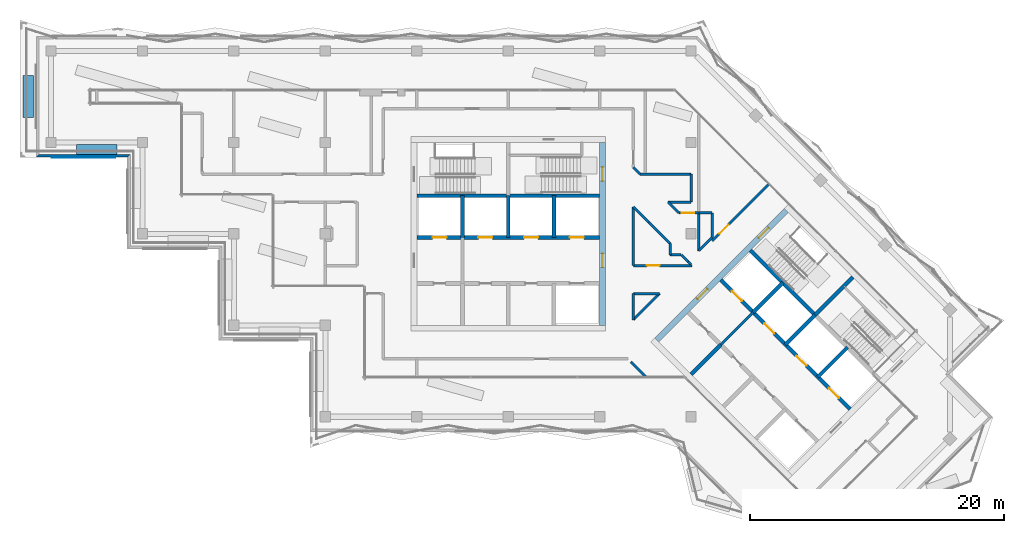
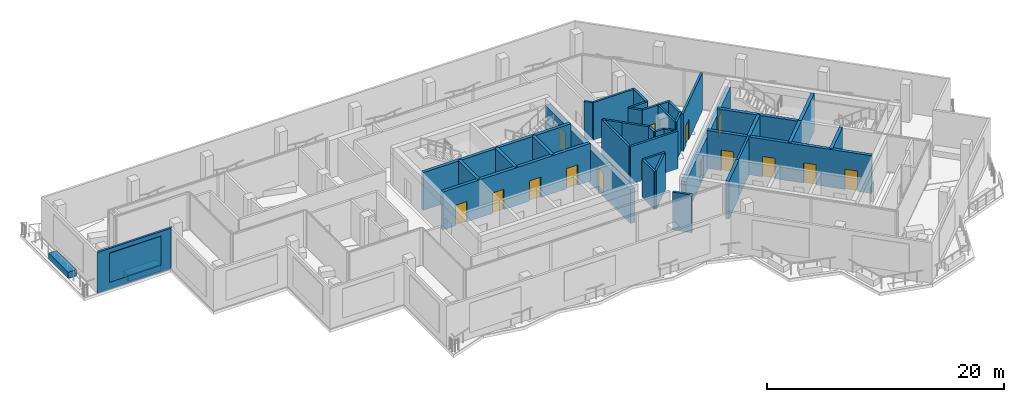
# One storey, part 10 of 19: 42 walls, 15 doors, 1 plate, 15 openings.
"""IFC4 building model written with IfcOpenShell, lengths in metres."""

from ifc_helpers import new_model, si_unit, direction, frame, frame_2d, origin, place, context, subcontext, project, spatial, polyline, rectangle, outline, extrude, material, layer, layer_set, type_object, element, fill, aggregate, save


model = new_model("IFC4")

# Units and contexts
model_context = context("Model", 3, precision=1e-05, world=origin(), true_north=direction((0.0, 1.0)))
body_context = subcontext(model_context, "Body", "Model", "MODEL_VIEW")
ifc_project = project(units=[si_unit("LENGTHUNIT", "METRE"), si_unit("AREAUNIT", "SQUARE_METRE"), si_unit("VOLUMEUNIT", "CUBIC_METRE"), si_unit("PLANEANGLEUNIT", "RADIAN"), si_unit("MASSUNIT", "GRAM", prefix="KILO")], contexts=[model_context])

# Plate
ifc_material_1 = material(Name="Aluminium louvre", Category="aluminium")
ifc_layer_1 = layer(ifc_material_1, 0.05)
ifc_layer_set_1 = layer_set([ifc_layer_1], Name="Belt louvre panel 5000x3000")
plate_type = type_object("IfcPlateType", Name="Belt louvre panel 5000x3000", PredefinedType="SHEET", material=ifc_layer_set_1)
site_placement = place(None, origin())
building_placement = place(site_placement, origin())
storey_placement = place(building_placement, frame((0.0, 0.0, 230.4)))
plate_placement = place(storey_placement, frame((28.85, 63.6, 0.75), z_axis=(0.0, -1.0, 0.0), x_axis=(1.0, 0.0, 0.0)))
plate = element("IfcPlate", 1, at=plate_placement, type_object=plate_type, Name="Belt louvre panel L63 35.1", PredefinedType="SHEET", context=body_context, shape_type="SweptSolid", body=[
    extrude(outline(polyline([(0.0, 0.0), (5.0, 0.0), (5.0, 3.0), (0.0, 3.0), (0.0, 0.0)])), origin(), (0.0, 0.0, -1.0), 0.05),
])

# Site, building, storey
site = spatial("IfcSite", under=ifc_project, at=site_placement, CompositionType="ELEMENT")
building = spatial("IfcBuilding", under=site, at=building_placement, Name="Windrow Commons", CompositionType="ELEMENT")
storey = spatial("IfcBuildingStorey", under=building, at=storey_placement, Name="L63", CompositionType="ELEMENT", Elevation=230.4)

# Wall
ifc_material_2 = material(Name="Concrete C40/50 precast screen panel", Category="concrete")
ifc_layer_2 = layer(ifc_material_2, 0.2)
ifc_layer_set_2 = layer_set([ifc_layer_2], Name="Belt screen wall 200")
wall_type_1 = type_object("IfcWallType", Name="Belt screen wall 200", PredefinedType="SOLIDWALL", material=ifc_layer_set_2)
wall_1_placement = place(storey_placement, frame((27.75, 63.75, 0.0), z_axis=(0.0, 0.0, 1.0), x_axis=(1.0, 0.0, 0.0)))
wall_1 = element("IfcWall", 2, at=wall_1_placement, inside=storey, type_object=wall_type_1, Name="Belt screen wall L63 35", PredefinedType="SOLIDWALL", context=body_context, shape_type="SweptSolid", body=[
    extrude(outline(polyline([(-0.1, -0.1), (7.1, -0.1), (7.3, 0.1), (0.1, 0.1), (-0.1, -0.1)])), origin(), (0.0, 0.0, 1.0), 4.2),
])

aggregate(wall_1, [plate])

ifc_material_3 = material(Name="Blockwork partition", Category="masonry")
ifc_layer_3 = layer(ifc_material_3, 0.2)
ifc_layer_set_3 = layer_set([ifc_layer_3], Name="Fire lobby partition 200")
wall_type_2 = type_object("IfcWallType", Name="Fire lobby partition 200", PredefinedType="PARTITIONING", material=ifc_layer_set_3)
wall_2_placement = place(storey_placement, frame((81.5335, 48.8776, 0.0), z_axis=(0.0, 0.0, 1.0), x_axis=(0.707092892, 0.7071206701, 0.0)))
element("IfcWall", 3, at=wall_2_placement, inside=storey, type_object=wall_type_2, Name="W-core-lobby-B-L63", PredefinedType="PARTITIONING", context=body_context, shape_type="SweptSolid", body=[
    extrude(rectangle(XDim=3.6, YDim=0.2, at=frame_2d((1.8, 0.0))), origin(), (0.0, 0.0, 1.0), 3.9),
])

# Wall, opening, door
ifc_material_4 = material(Name="Blockwork partition", Category="masonry")
ifc_layer_4 = layer(ifc_material_4, 0.2)
ifc_layer_set_4 = layer_set([ifc_layer_4], Name="IW-CORRIDOR-200")
wall_type_3 = type_object("IfcWallType", Name="IW-CORRIDOR-200", PredefinedType="PARTITIONING", material=ifc_layer_set_4)
wall_3_placement = place(storey_placement, frame((80.8507, 57.0353, 0.0), z_axis=(0.0, 0.0, 1.0), x_axis=(0.7071067812, 0.7071067812, 0.0)))
wall_3 = element("IfcWall", 4, at=wall_3_placement, inside=storey, type_object=wall_type_3, Name="W-L63-W008", PredefinedType="PARTITIONING", context=body_context, shape_type="SweptSolid", body=[
    extrude(rectangle(XDim=6.2848, YDim=0.2, at=frame_2d((3.1424, 0.0))), origin(), (0.0, 0.0, 1.0), 3.9),
])
opening_1_placement = place(wall_3_placement, frame((0.8102, 0.0, 0.0)))
opening_1 = element("IfcOpeningElement", 5, at=opening_1_placement, cuts=wall_3, Name="Opening D310F", PredefinedType="OPENING", context=body_context, shape_type="SweptSolid", body=[
    extrude(rectangle(XDim=1.0, YDim=2.1, at=frame_2d((0.5, 1.05))), frame((0.0, 0.11, 0.0), z_axis=(0.0, -1.0, 0.0), x_axis=(1.0, 0.0, 0.0)), (0.0, 0.0, 1.0), 0.22),
])
ifc_material_5 = material(Name="Timber door leaf", Category="wood")
door_type_1 = type_object("IfcDoorType", Name="DT-AMENITY-1000", OperationType="SINGLE_SWING_LEFT", PredefinedType="DOOR", material=ifc_material_5)
door_1_placement = place(opening_1_placement, origin())
door_1 = element("IfcDoor", 6, at=door_1_placement, inside=storey, type_object=door_type_1, Name="D-L63-D013", OperationType="SINGLE_SWING_RIGHT", OverallHeight=2.1, OverallWidth=1.0, PredefinedType="DOOR", context=body_context, shape_type="SweptSolid", body=[
    extrude(rectangle(XDim=1.0, YDim=2.1, at=frame_2d((0.5, 1.05))), frame((0.0, 0.025, 0.0), z_axis=(0.0, -1.0, 0.0), x_axis=(1.0, 0.0, 0.0)), (0.0, 0.0, 1.0), 0.05),
])
fill(opening_1, door_1)

# Wall
wall_4_placement = place(storey_placement, frame((74.65, 55.102, 0.0), z_axis=(0.0, 0.0, 1.0), x_axis=(0.0, 1.0, 0.0)))
element("IfcWall", 7, at=wall_4_placement, inside=storey, type_object=wall_type_3, Name="W-L63-W014", PredefinedType="PARTITIONING", context=body_context, shape_type="SweptSolid", body=[
    extrude(rectangle(XDim=4.616, YDim=0.2, at=frame_2d((2.308, 0.0))), origin(), (0.0, 0.0, 1.0), 3.9),
])

# Wall, opening, door
wall_5_placement = place(storey_placement, frame((74.652, 55.1, 0.0), z_axis=(0.0, 0.0, 1.0), x_axis=(1.0, 0.0, 0.0)))
wall_5 = element("IfcWall", 8, at=wall_5_placement, inside=storey, type_object=wall_type_3, Name="W-L63-W015", PredefinedType="PARTITIONING", context=body_context, shape_type="SweptSolid", body=[
    extrude(rectangle(XDim=4.616, YDim=0.2, at=frame_2d((2.308, 0.0))), origin(), (0.0, 0.0, 1.0), 3.9),
])
opening_2_placement = place(wall_5_placement, frame((1.0599, 0.0, 0.0)))
opening_2 = element("IfcOpeningElement", 9, at=opening_2_placement, cuts=wall_5, Name="Opening D410F", PredefinedType="OPENING", context=body_context, shape_type="SweptSolid", body=[
    extrude(rectangle(XDim=1.0, YDim=2.1, at=frame_2d((0.5, 1.05))), frame((0.0, 0.11, 0.0), z_axis=(0.0, -1.0, 0.0), x_axis=(1.0, 0.0, 0.0)), (0.0, 0.0, 1.0), 0.22),
])
ifc_material_6 = material(Name="Timber door leaf", Category="wood")
door_type_2 = type_object("IfcDoorType", Name="DT-SERVICE-1000", OperationType="SINGLE_SWING_LEFT", PredefinedType="DOOR", material=ifc_material_6)
door_2_placement = place(opening_2_placement, origin())
door_2 = element("IfcDoor", 10, at=door_2_placement, inside=storey, type_object=door_type_2, Name="D-L63-D004", OperationType="SINGLE_SWING_LEFT", OverallHeight=2.1, OverallWidth=1.0, PredefinedType="DOOR", context=body_context, shape_type="SweptSolid", body=[
    extrude(rectangle(XDim=1.0, YDim=2.1, at=frame_2d((0.5, 1.05))), frame((0.0, 0.025, 0.0), z_axis=(0.0, -1.0, 0.0), x_axis=(1.0, 0.0, 0.0)), (0.0, 0.0, 1.0), 0.05),
])
fill(opening_2, door_2)

# Walls
wall_6_placement = place(storey_placement, frame((75.182, 62.3, 0.0), z_axis=(0.0, 0.0, 1.0), x_axis=(1.0, 0.0, 0.0)))
element("IfcWall", 11, at=wall_6_placement, inside=storey, type_object=wall_type_3, Name="W-L63-W016", PredefinedType="PARTITIONING", context=body_context, shape_type="SweptSolid", body=[
    extrude(rectangle(XDim=4.018, YDim=0.2, at=frame_2d((2.009, 0.0))), origin(), (0.0, 0.0, 1.0), 3.9),
])
wall_7_placement = place(storey_placement, frame((79.8, 56.268, 0.0), z_axis=(0.0, 0.0, 1.0), x_axis=(0.0, 1.0, 0.0)))
element("IfcWall", 12, at=wall_7_placement, inside=storey, type_object=wall_type_3, Name="W-L63-W019", PredefinedType="PARTITIONING", context=body_context, shape_type="SweptSolid", body=[
    extrude(rectangle(XDim=2.982, YDim=0.2, at=frame_2d((1.491, 0.0))), origin(), (0.0, 0.0, 1.0), 3.9),
])
wall_8_placement = place(storey_placement, frame((74.6507, 50.8353, 0.0), z_axis=(0.0, 0.0, 1.0), x_axis=(0.7071067812, 0.7071067812, 0.0)))
element("IfcWall", 13, at=wall_8_placement, inside=storey, type_object=wall_type_3, Name="W-L63-W020", PredefinedType="PARTITIONING", context=body_context, shape_type="SweptSolid", body=[
    extrude(rectangle(XDim=2.9189, YDim=0.2, at=frame_2d((1.4594, 0.0))), origin(), (0.0, 0.0, 1.0), 3.9),
])
wall_9_placement = place(storey_placement, frame((75.8784, 58.4964, 0.0), z_axis=(0.0, 0.0, 1.0), x_axis=(0.7075293128, -0.706683997, 0.0)))
element("IfcWall", 14, at=wall_9_placement, inside=storey, type_object=wall_type_3, Name="W-L63-W022", PredefinedType="PARTITIONING", context=body_context, shape_type="SweptSolid", body=[
    extrude(rectangle(XDim=2.366, YDim=0.2, at=frame_2d((1.183, 0.0))), origin(), (0.0, 0.0, 1.0), 3.9),
])
wall_10_placement = place(storey_placement, frame((79.2, 60.102, 0.0), z_axis=(0.0, 0.0, 1.0), x_axis=(0.0, 1.0, 0.0)))
element("IfcWall", 15, at=wall_10_placement, inside=storey, type_object=wall_type_3, Name="W-L63-W024", PredefinedType="PARTITIONING", context=body_context, shape_type="SweptSolid", body=[
    extrude(rectangle(XDim=2.198, YDim=0.2, at=frame_2d((1.099, 0.0))), origin(), (0.0, 0.0, 1.0), 3.9),
])
wall_11_placement = place(storey_placement, frame((74.65, 50.836, 0.0), z_axis=(0.0, 0.0, 1.0), x_axis=(0.0, 1.0, 0.0)))
element("IfcWall", 16, at=wall_11_placement, inside=storey, type_object=wall_type_3, Name="W-L63-W027", PredefinedType="PARTITIONING", context=body_context, shape_type="SweptSolid", body=[
    extrude(rectangle(XDim=2.064, YDim=0.2, at=frame_2d((1.032, 0.0))), origin(), (0.0, 0.0, 1.0), 3.9),
])
wall_12_placement = place(storey_placement, frame((74.652, 52.9, 0.0), z_axis=(0.0, 0.0, 1.0), x_axis=(1.0, 0.0, 0.0)))
element("IfcWall", 17, at=wall_12_placement, inside=storey, type_object=wall_type_3, Name="W-L63-W028", PredefinedType="PARTITIONING", context=body_context, shape_type="SweptSolid", body=[
    extrude(rectangle(XDim=2.062, YDim=0.2, at=frame_2d((1.031, 0.0))), origin(), (0.0, 0.0, 1.0), 3.9),
])
wall_13_placement = place(storey_placement, frame((77.384, 60.1, 0.0), z_axis=(0.0, 0.0, 1.0), x_axis=(1.0, 0.0, 0.0)))
element("IfcWall", 18, at=wall_13_placement, inside=storey, type_object=wall_type_3, Name="W-L63-W032", PredefinedType="PARTITIONING", context=body_context, shape_type="SweptSolid", body=[
    extrude(rectangle(XDim=1.814, YDim=0.2, at=frame_2d((0.907, 0.0))), origin(), (0.0, 0.0, 1.0), 3.9),
])
wall_14_placement = place(storey_placement, frame((74.6492, 59.7172, 0.0), z_axis=(0.0, 0.0, 1.0), x_axis=(0.7065293157, -0.7076837754, 0.0)))
element("IfcWall", 19, at=wall_14_placement, inside=storey, type_object=wall_type_3, Name="W-L63-W034", PredefinedType="PARTITIONING", context=body_context, shape_type="SweptSolid", body=[
    extrude(rectangle(XDim=1.7324, YDim=0.2, at=frame_2d((0.8662, 0.0))), origin(), (0.0, 0.0, 1.0), 3.9),
])
wall_15_placement = place(storey_placement, frame((74.459, 47.531, 0.0), z_axis=(0.0, 0.0, 1.0), x_axis=(0.7071067812, -0.7071067812, 0.0)))
element("IfcWall", 20, at=wall_15_placement, inside=storey, type_object=wall_type_3, Name="W-L63-W035", PredefinedType="PARTITIONING", context=body_context, shape_type="SweptSolid", body=[
    extrude(rectangle(XDim=1.7027, YDim=0.2, at=frame_2d((0.8514, 0.0))), origin(), (0.0, 0.0, 1.0), 3.9),
])

# Wall, opening, door
wall_16_placement = place(storey_placement, frame((78.232, 59.25, 0.0), z_axis=(0.0, 0.0, 1.0), x_axis=(1.0, 0.0, 0.0)))
wall_16 = element("IfcWall", 21, at=wall_16_placement, inside=storey, type_object=wall_type_3, Name="W-L63-W038", PredefinedType="PARTITIONING", context=body_context, shape_type="SweptSolid", body=[
    extrude(rectangle(XDim=1.568, YDim=0.2, at=frame_2d((0.784, 0.0))), origin(), (0.0, 0.0, 1.0), 3.9),
])
opening_3_placement = place(wall_16_placement, frame((0.2196, 0.0, 0.0)))
opening_3 = element("IfcOpeningElement", 22, at=opening_3_placement, cuts=wall_16, Name="Opening D310F", PredefinedType="OPENING", context=body_context, shape_type="SweptSolid", body=[
    extrude(rectangle(XDim=1.0, YDim=2.1, at=frame_2d((0.5, 1.05))), frame((0.0, 0.11, 0.0), z_axis=(0.0, -1.0, 0.0), x_axis=(1.0, 0.0, 0.0)), (0.0, 0.0, 1.0), 0.22),
])
door_3_placement = place(opening_3_placement, origin())
door_3 = element("IfcDoor", 23, at=door_3_placement, inside=storey, type_object=door_type_1, Name="D-L63-D012", OperationType="SINGLE_SWING_LEFT", OverallHeight=2.1, OverallWidth=1.0, PredefinedType="DOOR", context=body_context, shape_type="SweptSolid", body=[
    extrude(rectangle(XDim=1.0, YDim=2.1, at=frame_2d((0.5, 1.05))), frame((0.0, 0.025, 0.0), z_axis=(0.0, -1.0, 0.0), x_axis=(1.0, 0.0, 0.0)), (0.0, 0.0, 1.0), 0.05),
])
fill(opening_3, door_3)

# Walls
wall_17_placement = place(storey_placement, frame((79.8013, 56.2687, 0.0), z_axis=(0.0, 0.0, 1.0), x_axis=(0.7071067812, 0.7071067812, 0.0)))
element("IfcWall", 24, at=wall_17_placement, inside=storey, type_object=wall_type_3, Name="W-L63-W039", PredefinedType="PARTITIONING", context=body_context, shape_type="SweptSolid", body=[
    extrude(rectangle(XDim=1.4821, YDim=0.2, at=frame_2d((0.741, 0.0))), origin(), (0.0, 0.0, 1.0), 3.9),
])
wall_18_placement = place(storey_placement, frame((77.3809, 60.0949, 0.0), z_axis=(0.0, 0.0, 1.0), x_axis=(0.7071067812, -0.7071067812, 0.0)))
element("IfcWall", 25, at=wall_18_placement, inside=storey, type_object=wall_type_3, Name="W-L63-W045", PredefinedType="PARTITIONING", context=body_context, shape_type="SweptSolid", body=[
    extrude(rectangle(XDim=1.1993, YDim=0.2, at=frame_2d((0.5997, 0.0))), origin(), (0.0, 0.0, 1.0), 3.9),
])
for number, where, z_axis, x_axis, name in (
    (26, (77.55, 55.952, 0.0), (0.0, 0.0, 1.0), (0.0, 1.0, 0.0), "W-L63-W049"),
    (27, (77.552, 55.95, 0.0), (0.0, 0.0, 1.0), (1.0, 0.0, 0.0), "W-L63-W050"),
):
    element("IfcWall", number, at=place(storey_placement, frame(where, z_axis=z_axis, x_axis=x_axis)), inside=storey, type_object=wall_type_3, Name=name, PredefinedType="PARTITIONING", context=body_context, shape_type="SweptSolid", body=[
        extrude(rectangle(XDim=0.868, YDim=0.2, at=frame_2d((0.434, 0.0))), origin(), (0.0, 0.0, 1.0), 3.9),
    ])
wall_19_placement = place(storey_placement, frame((74.6469, 62.8289, 0.0), z_axis=(0.0, 0.0, 1.0), x_axis=(0.7071067812, -0.7071067812, 0.0)))
element("IfcWall", 28, at=wall_19_placement, inside=storey, type_object=wall_type_3, Name="W-L63-W051", PredefinedType="PARTITIONING", context=body_context, shape_type="SweptSolid", body=[
    extrude(rectangle(XDim=0.7524, YDim=0.2, at=frame_2d((0.3762, 0.0))), origin(), (0.0, 0.0, 1.0), 3.9),
])
wall_20_placement = place(storey_placement, frame((78.4255, 55.9535, 0.0), z_axis=(0.0, 0.0, 1.0), x_axis=(0.7057738785, -0.7084371761, 0.0)))
element("IfcWall", 29, at=wall_20_placement, inside=storey, type_object=wall_type_3, Name="W-L63-W052", PredefinedType="PARTITIONING", context=body_context, shape_type="SweptSolid", body=[
    extrude(rectangle(XDim=0.7509, YDim=0.2, at=frame_2d((0.3755, 0.0))), origin(), (0.0, 0.0, 1.0), 3.9),
])
wall_21_placement = place(storey_placement, frame((78.9513, 55.4173, 0.0), z_axis=(0.0, 0.0, 1.0), x_axis=(0.709302262, -0.7049044624, 0.0)))
element("IfcWall", 30, at=wall_21_placement, inside=storey, type_object=wall_type_3, Name="W-L63-W057", PredefinedType="PARTITIONING", context=body_context, shape_type="SweptSolid", body=[
    extrude(rectangle(XDim=0.3183, YDim=0.2, at=frame_2d((0.1592, 0.0))), origin(), (0.0, 0.0, 1.0), 3.9),
])
ifc_material_7 = material(Name="Blockwork partition", Category="masonry")
ifc_layer_5 = layer(ifc_material_7, 0.2)
ifc_layer_set_5 = layer_set([ifc_layer_5], Name="IW-PARTY-200")
wall_type_4 = type_object("IfcWallType", Name="IW-PARTY-200", PredefinedType="PARTITIONING", material=ifc_layer_set_5)
wall_22_placement = place(storey_placement, frame((80.85, 57.316, 0.0), z_axis=(0.0, 0.0, 1.0), x_axis=(0.0, 1.0, 0.0)))
element("IfcWall", 31, at=wall_22_placement, inside=storey, type_object=wall_type_4, Name="W-L63-W031", PredefinedType="PARTITIONING", context=body_context, shape_type="SweptSolid", body=[
    extrude(rectangle(XDim=1.932, YDim=0.2, at=frame_2d((0.966, 0.0))), origin(), (0.0, 0.0, 1.0), 3.9),
])
wall_23_placement = place(storey_placement, frame((79.8, 59.25, 0.0), z_axis=(0.0, 0.0, 1.0), x_axis=(1.0, 0.0, 0.0)))
element("IfcWall", 32, at=wall_23_placement, inside=storey, type_object=wall_type_4, Name="W-L63-W046", PredefinedType="PARTITIONING", context=body_context, shape_type="SweptSolid", body=[
    extrude(rectangle(XDim=1.048, YDim=0.2, at=frame_2d((0.524, 0.0))), origin(), (0.0, 0.0, 1.0), 3.9),
])
ifc_material_8 = material(Name="Concrete C30/37 planter wall", Category="concrete")
ifc_layer_6 = layer(ifc_material_8, 0.8)
ifc_layer_set_6 = layer_set([ifc_layer_6], Name="Planter 800x600")
wall_type_5 = type_object("IfcWallType", Name="Planter 800x600", PredefinedType="SOLIDWALL", material=ifc_layer_set_6)
wall_24_placement = place(storey_placement, frame((27.017, 70.0446, 0.0), z_axis=(0.0, 0.0, 1.0), x_axis=(0.0, -1.0, 0.0)))
element("IfcWall", 33, at=wall_24_placement, inside=storey, type_object=wall_type_5, Name="PLANTER TR-L63-1.33", PredefinedType="SOLIDWALL", context=body_context, shape_type="SweptSolid", body=[
    extrude(rectangle(XDim=3.2892, YDim=0.8, at=frame_2d((1.6446, 0.0))), origin(), (0.0, 0.0, 1.0), 0.65),
])
wall_25_placement = place(storey_placement, frame((30.8, 64.25, 0.0), z_axis=(0.0, 0.0, 1.0), x_axis=(1.0, 0.0, 0.0)))
element("IfcWall", 34, at=wall_25_placement, inside=storey, type_object=wall_type_5, Name="PLANTER TR-L63-1.34", PredefinedType="SOLIDWALL", context=body_context, shape_type="SweptSolid", body=[
    extrude(rectangle(XDim=3.2, YDim=0.8, at=frame_2d((1.6, 0.0))), origin(), (0.0, 0.0, 1.0), 0.65),
])

# Wall, openings, doors
ifc_material_9 = material(Name="Concrete C40/50", Category="concrete")
ifc_layer_7 = layer(ifc_material_9, 0.45)
ifc_layer_set_7 = layer_set([ifc_layer_7], Name="RC CORE WALL 450 C40/50")
wall_type_6 = type_object("IfcWallType", Name="RC CORE WALL 450 C40/50", PredefinedType="SHEAR", material=ifc_layer_set_7)
wall_26_placement = place(storey_placement, frame((72.225, 50.4, -0.3), z_axis=(0.0, 0.0, 1.0), x_axis=(0.0, 1.0, 0.0)))
wall_26 = element("IfcWall", 35, at=wall_26_placement, inside=storey, type_object=wall_type_6, Name="Core A wall outer-E", PredefinedType="SHEAR", context=body_context, shape_type="SweptSolid", body=[
    extrude(rectangle(XDim=14.4, YDim=0.45, at=frame_2d((7.2, 0.0))), origin(), (0.0, 0.0, 1.0), 3.5),
])
opening_4_placement = place(wall_26_placement, frame((4.55, 0.0, 0.3)))
opening_4 = element("IfcOpeningElement", 36, at=opening_4_placement, cuts=wall_26, Name="Opening D6", PredefinedType="OPENING", context=body_context, shape_type="SweptSolid", body=[
    extrude(rectangle(XDim=1.1, YDim=2.1, at=frame_2d((0.55, 1.05))), frame((0.0, 0.235, 0.0), z_axis=(0.0, -1.0, 0.0), x_axis=(1.0, 0.0, 0.0)), (0.0, 0.0, 1.0), 0.47),
])
opening_5_placement = place(wall_26_placement, frame((11.35, 0.0, 0.3)))
opening_5 = element("IfcOpeningElement", 37, at=opening_5_placement, cuts=wall_26, Name="Opening D7", PredefinedType="OPENING", context=body_context, shape_type="SweptSolid", body=[
    extrude(rectangle(XDim=1.1, YDim=2.1, at=frame_2d((0.55, 1.05))), frame((0.0, 0.235, 0.0), z_axis=(0.0, -1.0, 0.0), x_axis=(1.0, 0.0, 0.0)), (0.0, 0.0, 1.0), 0.47),
])
ifc_material_10 = material(Name="Steel fire door leaf", Category="steel")
door_type_3 = type_object("IfcDoorType", Name="Core lobby door 1100", OperationType="SINGLE_SWING_LEFT", PredefinedType="DOOR", material=ifc_material_10)
door_4_placement = place(opening_4_placement, origin())
door_4 = element("IfcDoor", 38, at=door_4_placement, inside=storey, type_object=door_type_3, Name="Lift lobby door", OperationType="DOUBLE_DOOR_SINGLE_SWING", OverallHeight=2.1, OverallWidth=1.1, PredefinedType="DOOR", context=body_context, shape_type="SweptSolid", body=[
    extrude(rectangle(XDim=1.1, YDim=2.1, at=frame_2d((0.55, 1.05))), frame((0.0, 0.025, 0.0), z_axis=(0.0, -1.0, 0.0), x_axis=(1.0, 0.0, 0.0)), (0.0, 0.0, 1.0), 0.05),
])
fill(opening_4, door_4)
ifc_material_11 = material(Name="Steel fire door leaf", Category="steel")
door_type_4 = type_object("IfcDoorType", Name="Stair door 1100", OperationType="SINGLE_SWING_LEFT", PredefinedType="DOOR", material=ifc_material_11)
door_5_placement = place(opening_5_placement, origin())
door_5 = element("IfcDoor", 39, at=door_5_placement, inside=storey, type_object=door_type_4, Name="Stair door", OperationType="SINGLE_SWING_RIGHT", OverallHeight=2.1, OverallWidth=1.1, PredefinedType="DOOR", context=body_context, shape_type="SweptSolid", body=[
    extrude(rectangle(XDim=1.1, YDim=2.1, at=frame_2d((0.55, 1.05))), frame((0.0, 0.025, 0.0), z_axis=(0.0, -1.0, 0.0), x_axis=(1.0, 0.0, 0.0)), (0.0, 0.0, 1.0), 0.05),
])
fill(opening_5, door_5)

wall_27_placement = place(storey_placement, frame((76.4953, 49.2488, -0.3), z_axis=(0.0, 0.0, 1.0), x_axis=(0.7071067812, 0.7071067812, 0.0)))
wall_27 = element("IfcWall", 40, at=wall_27_placement, inside=storey, type_object=wall_type_6, Name="Core B wall outer-W", PredefinedType="SHEAR", context=body_context, shape_type="SweptSolid", body=[
    extrude(rectangle(XDim=14.4001, YDim=0.45, at=frame_2d((7.2001, 0.0))), origin(), (0.0, 0.0, 1.0), 3.5),
])
opening_6_placement = place(wall_27_placement, frame((4.55, 0.0, 0.3)))
opening_6 = element("IfcOpeningElement", 41, at=opening_6_placement, cuts=wall_27, Name="Opening D6", PredefinedType="OPENING", context=body_context, shape_type="SweptSolid", body=[
    extrude(rectangle(XDim=1.1, YDim=2.1, at=frame_2d((0.55, 1.05))), frame((0.0, 0.235, 0.0), z_axis=(0.0, -1.0, 0.0), x_axis=(1.0, 0.0, 0.0)), (0.0, 0.0, 1.0), 0.47),
])
opening_7_placement = place(wall_27_placement, frame((11.35, 0.0, 0.3)))
opening_7 = element("IfcOpeningElement", 42, at=opening_7_placement, cuts=wall_27, Name="Opening D7", PredefinedType="OPENING", context=body_context, shape_type="SweptSolid", body=[
    extrude(rectangle(XDim=1.1, YDim=2.1, at=frame_2d((0.55, 1.05))), frame((0.0, 0.235, 0.0), z_axis=(0.0, -1.0, 0.0), x_axis=(1.0, 0.0, 0.0)), (0.0, 0.0, 1.0), 0.47),
])
door_6_placement = place(opening_6_placement, origin())
door_6 = element("IfcDoor", 43, at=door_6_placement, inside=storey, type_object=door_type_3, Name="Lift lobby door", OperationType="DOUBLE_DOOR_SINGLE_SWING", OverallHeight=2.1, OverallWidth=1.1, PredefinedType="DOOR", context=body_context, shape_type="SweptSolid", body=[
    extrude(rectangle(XDim=1.1, YDim=2.1, at=frame_2d((0.55, 1.05))), frame((0.0, 0.025, 0.0), z_axis=(0.0, -1.0, 0.0), x_axis=(1.0, 0.0, 0.0)), (0.0, 0.0, 1.0), 0.05),
])
fill(opening_6, door_6)
door_7_placement = place(opening_7_placement, origin())
door_7 = element("IfcDoor", 44, at=door_7_placement, inside=storey, type_object=door_type_4, Name="Stair door", OperationType="SINGLE_SWING_LEFT", OverallHeight=2.1, OverallWidth=1.1, PredefinedType="DOOR", context=body_context, shape_type="SweptSolid", body=[
    extrude(rectangle(XDim=1.1, YDim=2.1, at=frame_2d((0.55, 1.05))), frame((0.0, 0.025, 0.0), z_axis=(0.0, -1.0, 0.0), x_axis=(1.0, 0.0, 0.0)), (0.0, 0.0, 1.0), 0.05),
])
fill(opening_7, door_7)

# Walls
ifc_material_12 = material(Name="Concrete C40/50", Category="concrete")
ifc_layer_8 = layer(ifc_material_12, 0.3)
ifc_layer_set_8 = layer_set([ifc_layer_8], Name="RC SHAFT WALL 300 C40/50")
wall_type_7 = type_object("IfcWallType", Name="RC SHAFT WALL 300 C40/50", PredefinedType="SOLIDWALL", material=ifc_layer_set_8)
for number, where, z_axis, x_axis, name in (
    (45, (61.2, 57.3, 0.0), (0.0, 0.0, 1.0), (0.0, 1.0, 0.0), "Core A wall shaft-N1"),
    (46, (64.8, 57.3, 0.0), (0.0, 0.0, 1.0), (0.0, 1.0, 0.0), "Core A wall shaft-N2"),
    (47, (68.4, 57.3, 0.0), (0.0, 0.0, 1.0), (0.0, 1.0, 0.0), "Core A wall shaft-N3"),
):
    element("IfcWall", number, at=place(storey_placement, frame(where, z_axis=z_axis, x_axis=x_axis)), inside=storey, type_object=wall_type_7, Name=name, PredefinedType="SOLIDWALL", context=body_context, shape_type="SweptSolid", body=[
        extrude(rectangle(XDim=3.3, YDim=0.3, at=frame_2d((1.65, 0.0))), origin(), (0.0, 0.0, 1.0), 3.9),
    ])

# Wall, openings, doors
wall_28_placement = place(storey_placement, frame((57.6, 57.3, 0.0), z_axis=(0.0, 0.0, 1.0), x_axis=(1.0, 0.0, 0.0)))
wall_28 = element("IfcWall", 48, at=wall_28_placement, inside=storey, type_object=wall_type_7, Name="Core A wall lobby-N", PredefinedType="SOLIDWALL", context=body_context, shape_type="SweptSolid", body=[
    extrude(rectangle(XDim=14.4, YDim=0.3, at=frame_2d((7.2, 0.0))), origin(), (0.0, 0.0, 1.0), 3.9),
])
opening_8_placement = place(wall_28_placement, frame((1.25, 0.0, 0.0)))
opening_8 = element("IfcOpeningElement", 49, at=opening_8_placement, cuts=wall_28, Name="Opening LD", PredefinedType="OPENING", context=body_context, shape_type="SweptSolid", body=[
    extrude(rectangle(XDim=1.1, YDim=2.1, at=frame_2d((0.55, 1.05))), frame((0.0, 0.16, 0.0), z_axis=(0.0, -1.0, 0.0), x_axis=(1.0, 0.0, 0.0)), (0.0, 0.0, 1.0), 0.32),
])
opening_9_placement = place(wall_28_placement, frame((4.85, 0.0, 0.0)))
opening_9 = element("IfcOpeningElement", 50, at=opening_9_placement, cuts=wall_28, Name="Opening LD", PredefinedType="OPENING", context=body_context, shape_type="SweptSolid", body=[
    extrude(rectangle(XDim=1.1, YDim=2.1, at=frame_2d((0.55, 1.05))), frame((0.0, 0.16, 0.0), z_axis=(0.0, -1.0, 0.0), x_axis=(1.0, 0.0, 0.0)), (0.0, 0.0, 1.0), 0.32),
])
opening_10_placement = place(wall_28_placement, frame((8.45, 0.0, 0.0)))
opening_10 = element("IfcOpeningElement", 51, at=opening_10_placement, cuts=wall_28, Name="Opening LD", PredefinedType="OPENING", context=body_context, shape_type="SweptSolid", body=[
    extrude(rectangle(XDim=1.1, YDim=2.1, at=frame_2d((0.55, 1.05))), frame((0.0, 0.16, 0.0), z_axis=(0.0, -1.0, 0.0), x_axis=(1.0, 0.0, 0.0)), (0.0, 0.0, 1.0), 0.32),
])
opening_11_placement = place(wall_28_placement, frame((12.05, 0.0, 0.0)))
opening_11 = element("IfcOpeningElement", 52, at=opening_11_placement, cuts=wall_28, Name="Opening LD", PredefinedType="OPENING", context=body_context, shape_type="SweptSolid", body=[
    extrude(rectangle(XDim=1.1, YDim=2.1, at=frame_2d((0.55, 1.05))), frame((0.0, 0.16, 0.0), z_axis=(0.0, -1.0, 0.0), x_axis=(1.0, 0.0, 0.0)), (0.0, 0.0, 1.0), 0.32),
])
ifc_material_13 = material(Name="Stainless steel door leaf", Category="steel")
door_type_5 = type_object("IfcDoorType", Name="Lift landing door 1100", OperationType="SLIDING_TO_LEFT", PredefinedType="DOOR", material=ifc_material_13)
door_8_placement = place(opening_8_placement, origin())
door_8 = element("IfcDoor", 53, at=door_8_placement, inside=storey, type_object=door_type_5, Name="Lift landing door", OperationType="SLIDING_TO_LEFT", OverallHeight=2.1, OverallWidth=1.1, PredefinedType="DOOR", context=body_context, shape_type="SweptSolid", body=[
    extrude(rectangle(XDim=1.1, YDim=2.1, at=frame_2d((0.55, 1.05))), frame((0.0, 0.025, 0.0), z_axis=(0.0, -1.0, 0.0), x_axis=(1.0, 0.0, 0.0)), (0.0, 0.0, 1.0), 0.05),
])
fill(opening_8, door_8)
door_9_placement = place(opening_9_placement, origin())
door_9 = element("IfcDoor", 54, at=door_9_placement, inside=storey, type_object=door_type_5, Name="Lift landing door", OperationType="SLIDING_TO_RIGHT", OverallHeight=2.1, OverallWidth=1.1, PredefinedType="DOOR", context=body_context, shape_type="SweptSolid", body=[
    extrude(rectangle(XDim=1.1, YDim=2.1, at=frame_2d((0.55, 1.05))), frame((0.0, 0.025, 0.0), z_axis=(0.0, -1.0, 0.0), x_axis=(1.0, 0.0, 0.0)), (0.0, 0.0, 1.0), 0.05),
])
fill(opening_9, door_9)
door_10_placement = place(opening_10_placement, origin())
door_10 = element("IfcDoor", 55, at=door_10_placement, inside=storey, type_object=door_type_5, Name="Lift landing door", OperationType="SLIDING_TO_LEFT", OverallHeight=2.1, OverallWidth=1.1, PredefinedType="DOOR", context=body_context, shape_type="SweptSolid", body=[
    extrude(rectangle(XDim=1.1, YDim=2.1, at=frame_2d((0.55, 1.05))), frame((0.0, 0.025, 0.0), z_axis=(0.0, -1.0, 0.0), x_axis=(1.0, 0.0, 0.0)), (0.0, 0.0, 1.0), 0.05),
])
fill(opening_10, door_10)
door_11_placement = place(opening_11_placement, origin())
door_11 = element("IfcDoor", 56, at=door_11_placement, inside=storey, type_object=door_type_5, Name="Lift landing door", OperationType="SLIDING_TO_RIGHT", OverallHeight=2.1, OverallWidth=1.1, PredefinedType="DOOR", context=body_context, shape_type="SweptSolid", body=[
    extrude(rectangle(XDim=1.1, YDim=2.1, at=frame_2d((0.55, 1.05))), frame((0.0, 0.025, 0.0), z_axis=(0.0, -1.0, 0.0), x_axis=(1.0, 0.0, 0.0)), (0.0, 0.0, 1.0), 0.05),
])
fill(opening_11, door_11)

# Walls
for number, where, z_axis, x_axis, name in (
    (57, (57.6, 60.6, 0.0), (0.0, 0.0, 1.0), (1.0, 0.0, 0.0), "Core A wall stair-S"),
    (58, (64.8, 60.6, 0.0), (0.0, 0.0, 1.0), (1.0, 0.0, 0.0), "Core A wall stair-S2"),
):
    element("IfcWall", number, at=place(storey_placement, frame(where, z_axis=z_axis, x_axis=x_axis)), inside=storey, type_object=wall_type_7, Name=name, PredefinedType="SOLIDWALL", context=body_context, shape_type="SweptSolid", body=[
        extrude(rectangle(XDim=7.2, YDim=0.3, at=frame_2d((3.6, 0.0))), origin(), (0.0, 0.0, 1.0), 3.9),
    ])
for number, where, z_axis, x_axis, name in (
    (59, (79.2, 46.5442, 0.0), (0.0, 0.0, 1.0), (0.7071219326, 0.7070916295, 0.0), "Core B wall shaft-S1"),
    (60, (84.079, 51.4232, 0.0), (0.0, 0.0, 1.0), (0.7071219326, 0.7070916295, 0.0), "Core B wall shaft-N1"),
):
    element("IfcWall", number, at=place(storey_placement, frame(where, z_axis=z_axis, x_axis=x_axis)), inside=storey, type_object=wall_type_7, Name=name, PredefinedType="SOLIDWALL", context=body_context, shape_type="SweptSolid", body=[
        extrude(rectangle(XDim=3.3, YDim=0.3, at=frame_2d((1.65, 0.0))), origin(), (0.0, 0.0, 1.0), 3.9),
    ])
for number, where, z_axis, x_axis, name in (
    (61, (86.6246, 48.8776, 0.0), (0.0, 0.0, 1.0), (0.7071067812, 0.7071067812, 0.0), "Core B wall shaft-N2"),
    (62, (89.1702, 46.332, 0.0), (0.0, 0.0, 1.0), (0.7071067812, 0.7071067812, 0.0), "Core B wall shaft-N3"),
):
    element("IfcWall", number, at=place(storey_placement, frame(where, z_axis=z_axis, x_axis=x_axis)), inside=storey, type_object=wall_type_7, Name=name, PredefinedType="SOLIDWALL", context=body_context, shape_type="SweptSolid", body=[
        extrude(rectangle(XDim=3.3001, YDim=0.3, at=frame_2d((1.6501, 0.0))), origin(), (0.0, 0.0, 1.0), 3.9),
    ])

# Wall, openings, doors
wall_29_placement = place(storey_placement, frame((81.5335, 53.9688, 0.0), z_axis=(0.0, 0.0, 1.0), x_axis=(0.707103309, -0.7071102534, 0.0)))
wall_29 = element("IfcWall", 63, at=wall_29_placement, inside=storey, type_object=wall_type_7, Name="Core B wall lobby-N", PredefinedType="SOLIDWALL", context=body_context, shape_type="SweptSolid", body=[
    extrude(rectangle(XDim=14.4, YDim=0.3, at=frame_2d((7.2, 0.0))), origin(), (0.0, 0.0, 1.0), 3.9),
])
opening_12_placement = place(wall_29_placement, frame((1.25, 0.0, 0.0)))
opening_12 = element("IfcOpeningElement", 64, at=opening_12_placement, cuts=wall_29, Name="Opening LD", PredefinedType="OPENING", context=body_context, shape_type="SweptSolid", body=[
    extrude(rectangle(XDim=1.1, YDim=2.1, at=frame_2d((0.55, 1.05))), frame((0.0, 0.16, 0.0), z_axis=(0.0, -1.0, 0.0), x_axis=(1.0, 0.0, 0.0)), (0.0, 0.0, 1.0), 0.32),
])
opening_13_placement = place(wall_29_placement, frame((4.85, 0.0, 0.0)))
opening_13 = element("IfcOpeningElement", 65, at=opening_13_placement, cuts=wall_29, Name="Opening LD", PredefinedType="OPENING", context=body_context, shape_type="SweptSolid", body=[
    extrude(rectangle(XDim=1.1, YDim=2.1, at=frame_2d((0.55, 1.05))), frame((0.0, 0.16, 0.0), z_axis=(0.0, -1.0, 0.0), x_axis=(1.0, 0.0, 0.0)), (0.0, 0.0, 1.0), 0.32),
])
opening_14_placement = place(wall_29_placement, frame((8.45, 0.0, 0.0)))
opening_14 = element("IfcOpeningElement", 66, at=opening_14_placement, cuts=wall_29, Name="Opening LD", PredefinedType="OPENING", context=body_context, shape_type="SweptSolid", body=[
    extrude(rectangle(XDim=1.1, YDim=2.1, at=frame_2d((0.55, 1.05))), frame((0.0, 0.16, 0.0), z_axis=(0.0, -1.0, 0.0), x_axis=(1.0, 0.0, 0.0)), (0.0, 0.0, 1.0), 0.32),
])
opening_15_placement = place(wall_29_placement, frame((12.05, 0.0, 0.0)))
opening_15 = element("IfcOpeningElement", 67, at=opening_15_placement, cuts=wall_29, Name="Opening LD", PredefinedType="OPENING", context=body_context, shape_type="SweptSolid", body=[
    extrude(rectangle(XDim=1.1, YDim=2.1, at=frame_2d((0.55, 1.05))), frame((0.0, 0.16, 0.0), z_axis=(0.0, -1.0, 0.0), x_axis=(1.0, 0.0, 0.0)), (0.0, 0.0, 1.0), 0.32),
])
door_12_placement = place(opening_12_placement, origin())
door_12 = element("IfcDoor", 68, at=door_12_placement, inside=storey, type_object=door_type_5, Name="Lift landing door", OperationType="SLIDING_TO_LEFT", OverallHeight=2.1, OverallWidth=1.1, PredefinedType="DOOR", context=body_context, shape_type="SweptSolid", body=[
    extrude(rectangle(XDim=1.1, YDim=2.1, at=frame_2d((0.55, 1.05))), frame((0.0, 0.025, 0.0), z_axis=(0.0, -1.0, 0.0), x_axis=(1.0, 0.0, 0.0)), (0.0, 0.0, 1.0), 0.05),
])
fill(opening_12, door_12)
door_13_placement = place(opening_13_placement, origin())
door_13 = element("IfcDoor", 69, at=door_13_placement, inside=storey, type_object=door_type_5, Name="Lift landing door", OperationType="SLIDING_TO_RIGHT", OverallHeight=2.1, OverallWidth=1.1, PredefinedType="DOOR", context=body_context, shape_type="SweptSolid", body=[
    extrude(rectangle(XDim=1.1, YDim=2.1, at=frame_2d((0.55, 1.05))), frame((0.0, 0.025, 0.0), z_axis=(0.0, -1.0, 0.0), x_axis=(1.0, 0.0, 0.0)), (0.0, 0.0, 1.0), 0.05),
])
fill(opening_13, door_13)
door_14_placement = place(opening_14_placement, origin())
door_14 = element("IfcDoor", 70, at=door_14_placement, inside=storey, type_object=door_type_5, Name="Lift landing door", OperationType="SLIDING_TO_LEFT", OverallHeight=2.1, OverallWidth=1.1, PredefinedType="DOOR", context=body_context, shape_type="SweptSolid", body=[
    extrude(rectangle(XDim=1.1, YDim=2.1, at=frame_2d((0.55, 1.05))), frame((0.0, 0.025, 0.0), z_axis=(0.0, -1.0, 0.0), x_axis=(1.0, 0.0, 0.0)), (0.0, 0.0, 1.0), 0.05),
])
fill(opening_14, door_14)
door_15_placement = place(opening_15_placement, origin())
door_15 = element("IfcDoor", 71, at=door_15_placement, inside=storey, type_object=door_type_5, Name="Lift landing door", OperationType="SLIDING_TO_RIGHT", OverallHeight=2.1, OverallWidth=1.1, PredefinedType="DOOR", context=body_context, shape_type="SweptSolid", body=[
    extrude(rectangle(XDim=1.1, YDim=2.1, at=frame_2d((0.55, 1.05))), frame((0.0, 0.025, 0.0), z_axis=(0.0, -1.0, 0.0), x_axis=(1.0, 0.0, 0.0)), (0.0, 0.0, 1.0), 0.05),
])
fill(opening_15, door_15)

# Walls
wall_30_placement = place(storey_placement, frame((83.8669, 56.3022, 0.0), z_axis=(0.0, 0.0, 1.0), x_axis=(0.7071137256, -0.7070998367, 0.0)))
element("IfcWall", 72, at=wall_30_placement, inside=storey, type_object=wall_type_7, Name="Core B wall stair-S", PredefinedType="SOLIDWALL", context=body_context, shape_type="SweptSolid", body=[
    extrude(rectangle(XDim=7.2, YDim=0.3, at=frame_2d((3.6, 0.0))), origin(), (0.0, 0.0, 1.0), 3.9),
])
wall_31_placement = place(storey_placement, frame((88.9581, 51.2111, 0.0), z_axis=(0.0, 0.0, 1.0), x_axis=(0.7071067812, 0.7071067812, 0.0)))
element("IfcWall", 73, at=wall_31_placement, inside=storey, type_object=wall_type_7, Name="Core B wall stair-mid", PredefinedType="SOLIDWALL", context=body_context, shape_type="SweptSolid", body=[
    extrude(rectangle(XDim=4.1999, YDim=0.3, at=frame_2d((2.1, 0.0))), origin(), (0.0, 0.0, 1.0), 3.9),
])

save(model, "model.ifc")
